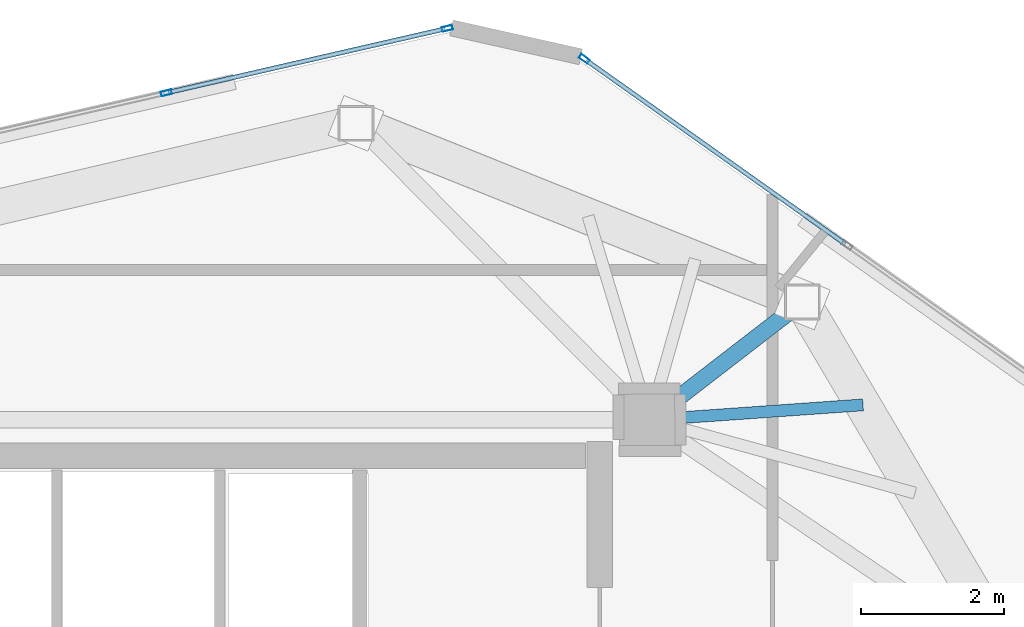
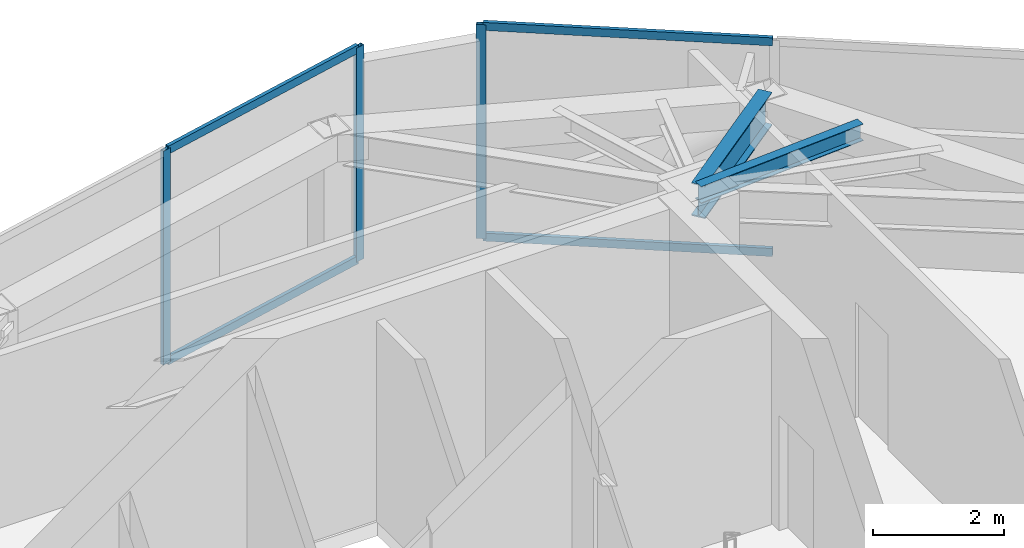
# One storey, part 15 of 21: 7 members, 2 beams, 2 elements without a shape of their own.
"""IFC4 building model written with IfcOpenShell, lengths in metres."""

from ifc_helpers import new_model, si_unit, direction, frame, origin, origin_2d, place, context, subcontext, project, spatial, hollow_rectangle, i_section, extrude, source, transform, mapped, material, layer, layer_set, material_profile, profile_set, type_object, type_shapes, element, aggregate, save


model = new_model("IFC4")

# Units and contexts
model_context = context("Model", 3, precision=1e-05, world=origin(), true_north=direction((0.0, 1.0)))
body_context = subcontext(model_context, "Body", "Model", "MODEL_VIEW")
ifc_project = project(units=[si_unit("LENGTHUNIT", "METRE"), si_unit("AREAUNIT", "SQUARE_METRE"), si_unit("VOLUMEUNIT", "CUBIC_METRE"), si_unit("PLANEANGLEUNIT", "RADIAN"), si_unit("MASSUNIT", "GRAM", prefix="KILO")], contexts=[model_context])

# Site, building, storey
site_placement = place(None, origin())
site = spatial("IfcSite", under=ifc_project, at=site_placement, CompositionType="ELEMENT")
building_placement = place(site_placement, origin())
building = spatial("IfcBuilding", under=site, at=building_placement, Name="Talar Marvaseh", CompositionType="ELEMENT")
storey_placement = place(building_placement, frame((0.0, 0.0, 304.0)))
storey = spatial("IfcBuildingStorey", under=building, at=storey_placement, Name="L81", CompositionType="ELEMENT", Elevation=304.0)

# Beams
ifc_material_1 = material(Name="Steel S355", Category="steel")
ifc_material_profile_1 = material_profile(ifc_material_1, i_section(OverallWidth=0.166015625, OverallDepth=0.31298828125, WebThickness=0.006591796875, FlangeThickness=0.01123046875, at=origin_2d()), Name="W310x45")
ifc_profile_set_1 = profile_set([ifc_material_profile_1], Name="Steel S355")
beam_type_1 = type_object("IfcBeamType", Name="Zone 3 Secondary Floor Joist W310x45", PredefinedType="JOIST", material=ifc_profile_set_1)
beam_1_placement = place(storey_placement, frame((36.287109375, 37.1103515625, 3.58349609375), z_axis=(-0.99752734531, -0.070279409208, 0.0), x_axis=(0.070279409208, -0.99752734531, 0.0)))
element("IfcBeam", 1, at=beam_1_placement, inside=storey, type_object=beam_type_1, Name="L81 Zone 3 Secondary Floor Joist W310x45", PredefinedType="JOIST", context=body_context, shape_type="SweptSolid", body=[
    extrude(i_section(OverallWidth=0.166015625, OverallDepth=0.31298828125, WebThickness=0.006591796875, FlangeThickness=0.01123046875, at=origin_2d()), origin(), (0.0, 0.0, 1.0), 2.994384765625),
])
ifc_material_profile_2 = material_profile(ifc_material_1, i_section(OverallWidth=0.22998046875, OverallDepth=0.616943359375, WebThickness=0.01318359375, FlangeThickness=0.022216796875, at=origin_2d()), Name="W610x140")
ifc_profile_set_2 = profile_set([ifc_material_profile_2], Name="Steel S355")
beam_type_2 = type_object("IfcBeamType", Name="Zone 4 Radial Floor Girder W610x140", PredefinedType="BEAM", material=ifc_profile_set_2)
beam_2_placement = place(storey_placement, frame((35.43798828125, 38.551025390625, 3.431396484375), z_axis=(-0.791449946636, -0.611233982996, 0.0), x_axis=(0.611233982996, -0.791449946636, 0.0)))
element("IfcBeam", 2, at=beam_2_placement, inside=storey, type_object=beam_type_2, Name="L81 Zone 4 Radial Floor Girder W610x140", PredefinedType="BEAM", context=body_context, shape_type="SweptSolid", body=[
    extrude(i_section(OverallWidth=0.22998046875, OverallDepth=0.616943359375, WebThickness=0.01318359375, FlangeThickness=0.022216796875, at=origin_2d()), origin(), (0.0, 0.0, 1.0), 2.701416015625),
])

# Curtain wall, members
ifc_material_2 = material(Name="Architectural Aluminium", Category="aluminium")
ifc_layer = layer(ifc_material_2, 0.2099609375)
ifc_layer_set = layer_set([ifc_layer], Name="Architectural Aluminium")
curtain_wall_type = type_object("IfcCurtainWallType", Name="Crown Plant Acoustic Spandrel Curtain Wall", PredefinedType="NOTDEFINED", material=ifc_layer_set)
curtain_wall_1_placement = place(storey_placement, origin())
curtain_wall_1 = element("IfcCurtainWall", 3, at=curtain_wall_1_placement, inside=storey, type_object=curtain_wall_type, Name="L81 Crown Plant Acoustic Spandrel Curtain Wall", PredefinedType="NOTDEFINED")
ifc_material_profile_3 = material_profile(ifc_material_2, hollow_rectangle(XDim=0.06494140625, YDim=0.14990234375, WallThickness=0.00390625, at=origin_2d()), Name="RHS150x65x4")
ifc_profile_set_3 = profile_set([ifc_material_profile_3], Name="Architectural Aluminium")
member_type_1 = type_object("IfcMemberType", Name="Unitised Curtain Wall Slim Transom RHS150x65x4", PredefinedType="USERDEFINED", material=ifc_profile_set_3)
shared_shape_1 = source(origin(), body_context, "Body", "SweptSolid", [
    extrude(hollow_rectangle(XDim=0.06494140625, YDim=0.14990234375, WallThickness=0.00390625, at=origin_2d()), origin(), (0.0, 0.0, 1.0), 4.447265625),
])
member_1_placement = place(storey_placement, frame((32.41064453125, 41.93603515625, 0.032470703125), z_axis=(0.815690974726, -0.578487885569, 0.0), x_axis=(0.578487885569, 0.815690974726, 0.0)))
member_1 = element("IfcMember", 4, at=member_1_placement, type_object=member_type_1, Name="CW-CRN transom 1.1", ObjectType="TRANSOM", PredefinedType="USERDEFINED", context=body_context, shape_type="MappedRepresentation", body=[
    mapped(shared_shape_1, transform((0.0, 0.0, 0.0), x_axis=(1.0, 0.0, 0.0), y_axis=(0.0, 1.0, 0.0), z_axis=(0.0, 0.0, 1.0), scale=1.0)),
])
member_2_placement = place(storey_placement, frame((32.41064453125, 41.93603515625, 3.967529296875), z_axis=(0.815690974726, -0.578487885569, 0.0), x_axis=(0.578487885569, 0.815690974726, 0.0)))
member_2 = element("IfcMember", 5, at=member_2_placement, type_object=member_type_1, Name="CW-CRN transom 1.2", ObjectType="TRANSOM", PredefinedType="USERDEFINED", context=body_context, shape_type="MappedRepresentation", body=[
    mapped(shared_shape_1, transform((0.0, 0.0, 0.0), x_axis=(1.0, 0.0, 0.0), y_axis=(0.0, 1.0, 0.0), z_axis=(0.0, 0.0, 1.0), scale=1.0)),
])

curtain_wall_2_placement = place(storey_placement, origin())
curtain_wall_2 = element("IfcCurtainWall", 6, at=curtain_wall_2_placement, inside=storey, type_object=curtain_wall_type, Name="L81 Crown Plant Acoustic Spandrel Curtain Wall", PredefinedType="NOTDEFINED")
shared_shape_2 = source(origin(), body_context, "Body", "SweptSolid", [
    extrude(hollow_rectangle(XDim=0.06494140625, YDim=0.14990234375, WallThickness=0.00390625, at=origin_2d()), origin(), (0.0, 0.0, 1.0), 3.97119140625),
])
type_shapes(member_type_1, [shared_shape_1, shared_shape_2])
member_3_placement = place(storey_placement, frame((26.564208984375, 41.48583984375, 0.032470703125), z_axis=(0.974638250657, 0.223786238087, 0.0), x_axis=(-0.223786238087, 0.974638250657, 0.0)))
member_3 = element("IfcMember", 7, at=member_3_placement, type_object=member_type_1, Name="CW-CRN transom 3.1", ObjectType="TRANSOM", PredefinedType="USERDEFINED", context=body_context, shape_type="MappedRepresentation", body=[
    mapped(shared_shape_2, transform((0.0, 0.0, 0.0), x_axis=(1.0, 0.0, 0.0), y_axis=(0.0, 1.0, 0.0), z_axis=(0.0, 0.0, 1.0), scale=1.0)),
])
member_4_placement = place(storey_placement, frame((26.564208984375, 41.48583984375, 3.967529296875), z_axis=(0.974638250657, 0.223786238087, 0.0), x_axis=(-0.223786238087, 0.974638250657, 0.0)))
member_4 = element("IfcMember", 8, at=member_4_placement, type_object=member_type_1, Name="CW-CRN transom 3.2", ObjectType="TRANSOM", PredefinedType="USERDEFINED", context=body_context, shape_type="MappedRepresentation", body=[
    mapped(shared_shape_2, transform((0.0, 0.0, 0.0), x_axis=(1.0, 0.0, 0.0), y_axis=(0.0, 1.0, 0.0), z_axis=(0.0, 0.0, 1.0), scale=1.0)),
])
ifc_material_profile_4 = material_profile(ifc_material_2, hollow_rectangle(XDim=0.06494140625, YDim=0.14990234375, WallThickness=0.00390625, at=origin_2d()), Name="RHS150x65x4")
ifc_profile_set_4 = profile_set([ifc_material_profile_4], Name="Architectural Aluminium")
member_type_2 = type_object("IfcMemberType", Name="Unitised Curtain Wall Slim Mullion RHS150x65x4", PredefinedType="MULLION", material=ifc_profile_set_4)
shared_shape_3 = source(origin(), body_context, "Body", "SweptSolid", [
    extrude(hollow_rectangle(XDim=0.06494140625, YDim=0.14990234375, WallThickness=0.00390625, at=origin_2d()), origin(), (0.0, 0.0, 1.0), 4.0),
])
type_shapes(member_type_2, [shared_shape_3])
member_5_placement = place(storey_placement, frame((26.532470703125, 41.478515625, 0.0), z_axis=(0.0, 0.0, 1.0), x_axis=(-0.223791926761, 0.974636944465, 0.0)))
member_5 = element("IfcMember", 9, at=member_5_placement, type_object=member_type_2, Name="CW-CRN mullion 3", PredefinedType="MULLION", context=body_context, shape_type="MappedRepresentation", body=[
    mapped(shared_shape_3, transform((0.0, 0.0, 0.0), x_axis=(1.0, 0.0, 0.0), y_axis=(0.0, 1.0, 0.0), z_axis=(0.0, 0.0, 1.0), scale=1.0)),
])
member_6_placement = place(storey_placement, frame((30.46630859375, 42.3818359375, 0.0), z_axis=(0.0, 0.0, 1.0), x_axis=(-0.223791926761, 0.974636944465, 0.0)))
member_6 = element("IfcMember", 10, at=member_6_placement, type_object=member_type_2, Name="CW-CRN mullion 4", PredefinedType="MULLION", context=body_context, shape_type="MappedRepresentation", body=[
    mapped(shared_shape_3, transform((0.0, 0.0, 0.0), x_axis=(1.0, 0.0, 0.0), y_axis=(0.0, 1.0, 0.0), z_axis=(0.0, 0.0, 1.0), scale=1.0)),
])
aggregate(curtain_wall_2, [member_5, member_6, member_3, member_4])

# Member
member_7_placement = place(storey_placement, frame((32.38427734375, 41.954833984375, 0.0), z_axis=(0.0, 0.0, 1.0), x_axis=(0.578512539176, 0.815673489833, 0.0)))
member_7 = element("IfcMember", 11, at=member_7_placement, type_object=member_type_2, Name="CW-CRN mullion 1", PredefinedType="MULLION", context=body_context, shape_type="MappedRepresentation", body=[
    mapped(shared_shape_3, transform((0.0, 0.0, 0.0), x_axis=(1.0, 0.0, 0.0), y_axis=(0.0, 1.0, 0.0), z_axis=(0.0, 0.0, 1.0), scale=1.0)),
])

aggregate(curtain_wall_1, [member_7, member_1, member_2])

save(model, "model.ifc")
